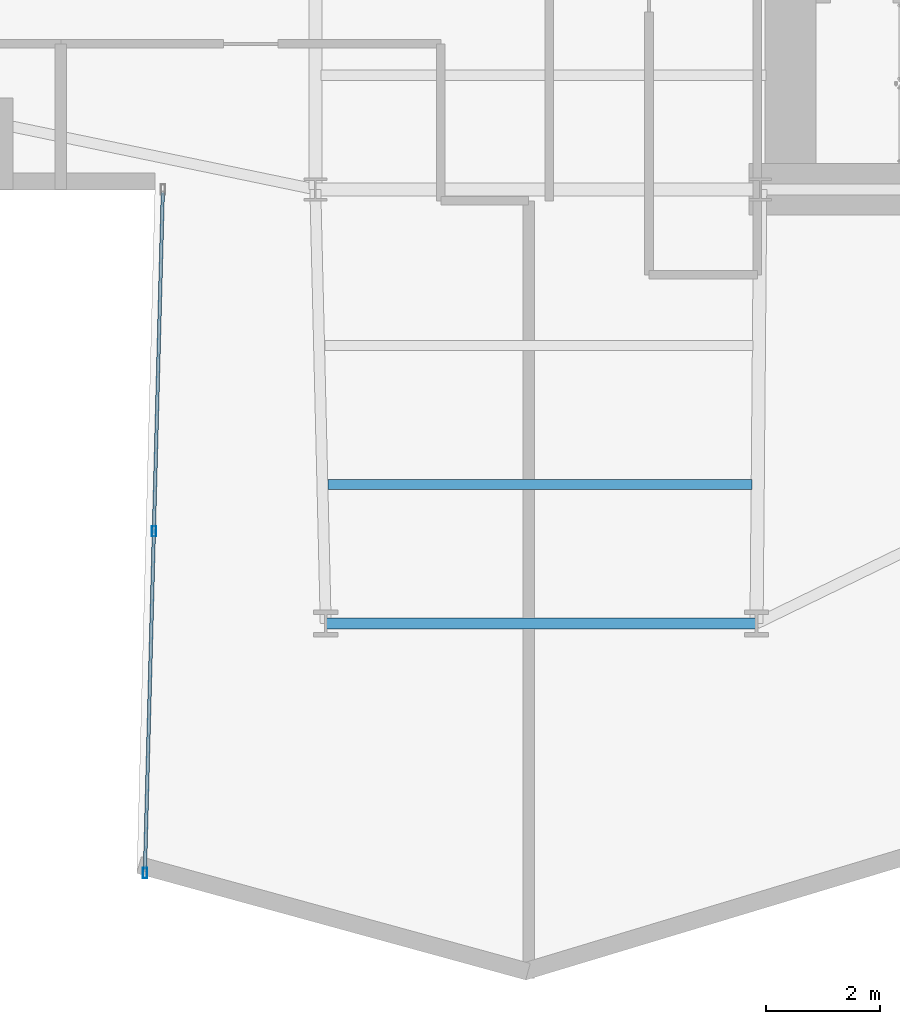
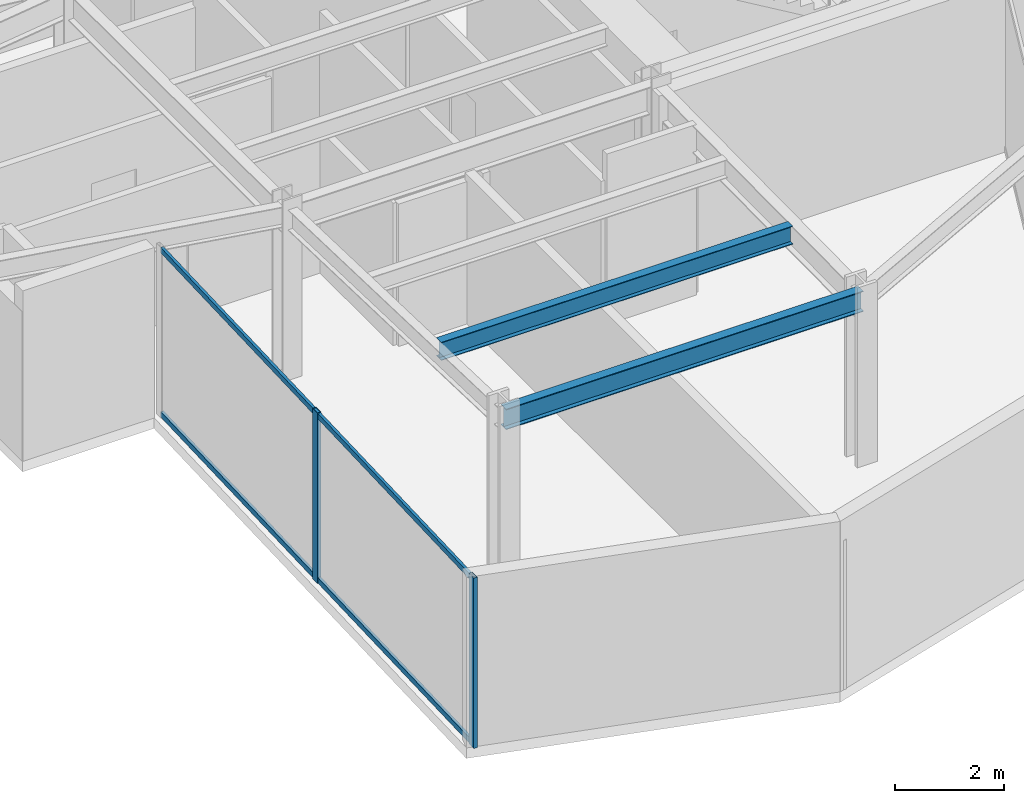
# One storey, part 6 of 30: 4 members, 2 beams, 1 element without a shape of its own.
"""IFC4 building model written with IfcOpenShell, lengths in metres."""

from ifc_helpers import new_model, si_unit, direction, frame, origin, origin_2d, place, context, subcontext, project, spatial, hollow_rectangle, i_section, extrude, material, layer, layer_set, material_profile, profile_set, type_object, element, aggregate, save


model = new_model("IFC4")

# Units and contexts
model_context = context("Model", 3, precision=1e-05, world=origin(), true_north=direction((0.0, 1.0)))
body_context = subcontext(model_context, "Body", "Model", "MODEL_VIEW")
ifc_project = project(units=[si_unit("LENGTHUNIT", "METRE"), si_unit("AREAUNIT", "SQUARE_METRE"), si_unit("VOLUMEUNIT", "CUBIC_METRE"), si_unit("PLANEANGLEUNIT", "RADIAN"), si_unit("MASSUNIT", "GRAM", prefix="KILO")], contexts=[model_context])

# Site, building, storey
site_placement = place(None, origin())
site = spatial("IfcSite", under=ifc_project, at=site_placement, CompositionType="ELEMENT")
building_placement = place(site_placement, origin())
building = spatial("IfcBuilding", under=site, at=building_placement, Name="Veymaron Broadcast Tower", CompositionType="ELEMENT")
storey_placement = place(building_placement, frame((0.0, 0.0, 66.14990234375)))
storey = spatial("IfcBuildingStorey", under=building, at=storey_placement, Name="L14", CompositionType="ELEMENT", Elevation=66.14990234375)

# Beams
ifc_material_1 = material(Name="Structural steel ASTM A992 Gr 50", Category="steel")
ifc_material_profile_1 = material_profile(ifc_material_1, i_section(OverallWidth=0.177978515625, OverallDepth=0.406982421875, WebThickness=0.0078125, FlangeThickness=0.0126953125, at=origin_2d()), Name="W410X60")
ifc_profile_set_1 = profile_set([ifc_material_profile_1], Name="Structural steel ASTM A992 Gr 50")
beam_type_1 = type_object("IfcBeamType", Name="BM-JS1", PredefinedType="JOIST", material=ifc_profile_set_1)
beam_1_placement = place(storey_placement, frame((31.423828125, 10.8251953125, 3.606689453125), z_axis=(1.0, 0.0, 0.0), x_axis=(0.0, 1.0, 0.0)))
element("IfcBeam", 1, at=beam_1_placement, inside=storey, type_object=beam_type_1, Name="L14 Arm-C secondary joist 2", PredefinedType="JOIST", context=body_context, shape_type="SweptSolid", body=[
    extrude(i_section(OverallWidth=0.177978515625, OverallDepth=0.406982421875, WebThickness=0.0078125, FlangeThickness=0.0126953125, at=origin_2d()), origin(), (0.0, 0.0, 1.0), 7.431884765625),
])
ifc_material_profile_2 = material_profile(ifc_material_1, i_section(OverallWidth=0.19091796875, OverallDepth=0.4599609375, WebThickness=0.010009765625, FlangeThickness=0.01611328125, at=origin_2d()), Name="W460X82")
ifc_profile_set_2 = profile_set([ifc_material_profile_2], Name="Structural steel ASTM A992 Gr 50")
beam_type_2 = type_object("IfcBeamType", Name="BM-SP1", PredefinedType="SPANDREL", material=ifc_profile_set_2)
beam_2_placement = place(storey_placement, frame((31.382080078125, 8.389892578125, 3.580078125), z_axis=(1.0, 0.0, 0.0), x_axis=(0.0, 1.0, 0.0)))
element("IfcBeam", 2, at=beam_2_placement, inside=storey, type_object=beam_type_2, Name="L14 primary structural floor girder", PredefinedType="SPANDREL", context=body_context, shape_type="SweptSolid", body=[
    extrude(i_section(OverallWidth=0.19091796875, OverallDepth=0.4599609375, WebThickness=0.010009765625, FlangeThickness=0.01611328125, at=origin_2d()), origin(), (0.0, 0.0, 1.0), 7.552978515625),
])

# Curtain wall, members
ifc_material_2 = material(Name="Anodised aluminium AA 6063-T6 and laminated low-E dark glass", Category="aluminium")
ifc_layer = layer(ifc_material_2, 0.179931640625)
ifc_layer_set = layer_set([ifc_layer], Name="Anodised aluminium AA 6063-T6 and laminated low-E dark glass")
curtain_wall_type = type_object("IfcCurtainWallType", Name="CW-SYS-02", PredefinedType="NOTDEFINED", material=ifc_layer_set)
curtain_wall_placement = place(storey_placement, origin())
curtain_wall = element("IfcCurtainWall", 3, at=curtain_wall_placement, inside=storey, type_object=curtain_wall_type, Name="L14 dark-glass curtain wall CW-L14-E17-1", PredefinedType="NOTDEFINED")
ifc_material_3 = material(Name="Anodised aluminium AA 6063-T6", Category="aluminium")
ifc_material_profile_3 = material_profile(ifc_material_3, hollow_rectangle(XDim=0.074951171875, YDim=0.179931640625, WallThickness=0.0048828125, at=origin_2d()), Name="AL180X75X5")
ifc_profile_set_3 = profile_set([ifc_material_profile_3], Name="Anodised aluminium AA 6063-T6")
member_type_1 = type_object("IfcMemberType", Name="CW-MUL-02", PredefinedType="MULLION", material=ifc_profile_set_3)
member_1_placement = place(storey_placement, frame((28.369384765625, 10.005859375, 0.0), z_axis=(0.0, 0.0, 1.0), x_axis=(1.0, 0.0, 0.0)))
member_1 = element("IfcMember", 4, at=member_1_placement, type_object=member_type_1, Name="CW-L14-E17-1 mullion 1", PredefinedType="MULLION", context=body_context, shape_type="SweptSolid", body=[
    extrude(hollow_rectangle(XDim=0.074951171875, YDim=0.179931640625, WallThickness=0.0048828125, at=origin_2d()), origin(), (0.0, 0.0, 1.0), 3.81005859375),
])
member_2_placement = place(storey_placement, frame((28.2119140625, 4.015380859375, 0.0), z_axis=(0.0, 0.0, 1.0), x_axis=(1.0, 0.0, 0.0)))
member_2 = element("IfcMember", 5, at=member_2_placement, type_object=member_type_1, Name="CW-L14-E17-1 mullion 2", PredefinedType="MULLION", context=body_context, shape_type="SweptSolid", body=[
    extrude(hollow_rectangle(XDim=0.074951171875, YDim=0.179931640625, WallThickness=0.0048828125, at=origin_2d()), origin(), (0.0, 0.0, 1.0), 3.81005859375),
])
ifc_material_profile_4 = material_profile(ifc_material_3, hollow_rectangle(XDim=0.06005859375, YDim=0.1201171875, WallThickness=0.00390625, at=origin_2d()), Name="AL120X60X4")
ifc_profile_set_4 = profile_set([ifc_material_profile_4], Name="Anodised aluminium AA 6063-T6")
member_type_2 = type_object("IfcMemberType", Name="CW-TRN-02", PredefinedType="USERDEFINED", material=ifc_profile_set_4)
member_3_placement = place(storey_placement, frame((28.525634765625, 15.9462890625, 0.070068359375), z_axis=(-0.026293177264, -0.999654274652, 0.0), x_axis=(0.999654274652, -0.026293177264, 0.0)))
member_3 = element("IfcMember", 6, at=member_3_placement, type_object=member_type_2, Name="CW-L14-E17-1 transom B", ObjectType="TRANSOM", PredefinedType="USERDEFINED", context=body_context, shape_type="SweptSolid", body=[
    extrude(hollow_rectangle(XDim=0.06005859375, YDim=0.1201171875, WallThickness=0.00390625, at=origin_2d()), origin(), (0.0, 0.0, 1.0), 11.88525390625),
])
member_4_placement = place(storey_placement, frame((28.525634765625, 15.9462890625, 3.739990234375), z_axis=(-0.026293177264, -0.999654274652, 0.0), x_axis=(0.999654274652, -0.026293177264, 0.0)))
member_4 = element("IfcMember", 7, at=member_4_placement, type_object=member_type_2, Name="CW-L14-E17-1 transom T", ObjectType="TRANSOM", PredefinedType="USERDEFINED", context=body_context, shape_type="SweptSolid", body=[
    extrude(hollow_rectangle(XDim=0.06005859375, YDim=0.1201171875, WallThickness=0.00390625, at=origin_2d()), origin(), (0.0, 0.0, 1.0), 11.88525390625),
])
aggregate(curtain_wall, [member_1, member_2, member_3, member_4])

save(model, "model.ifc")
